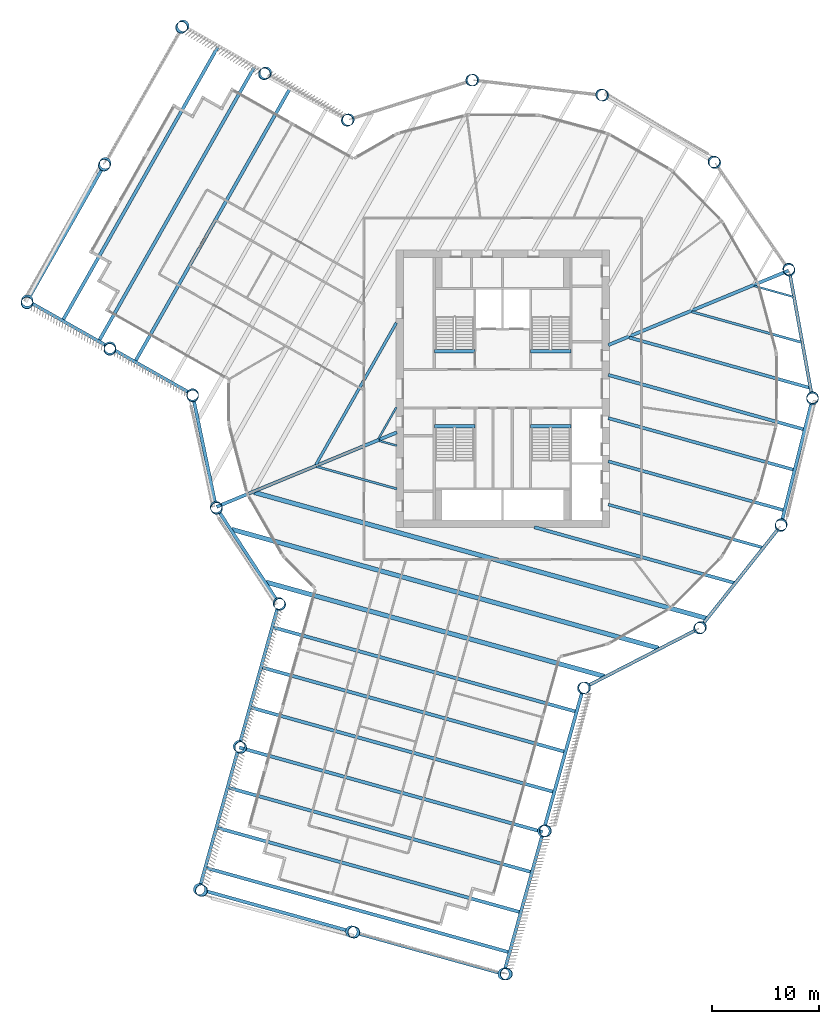
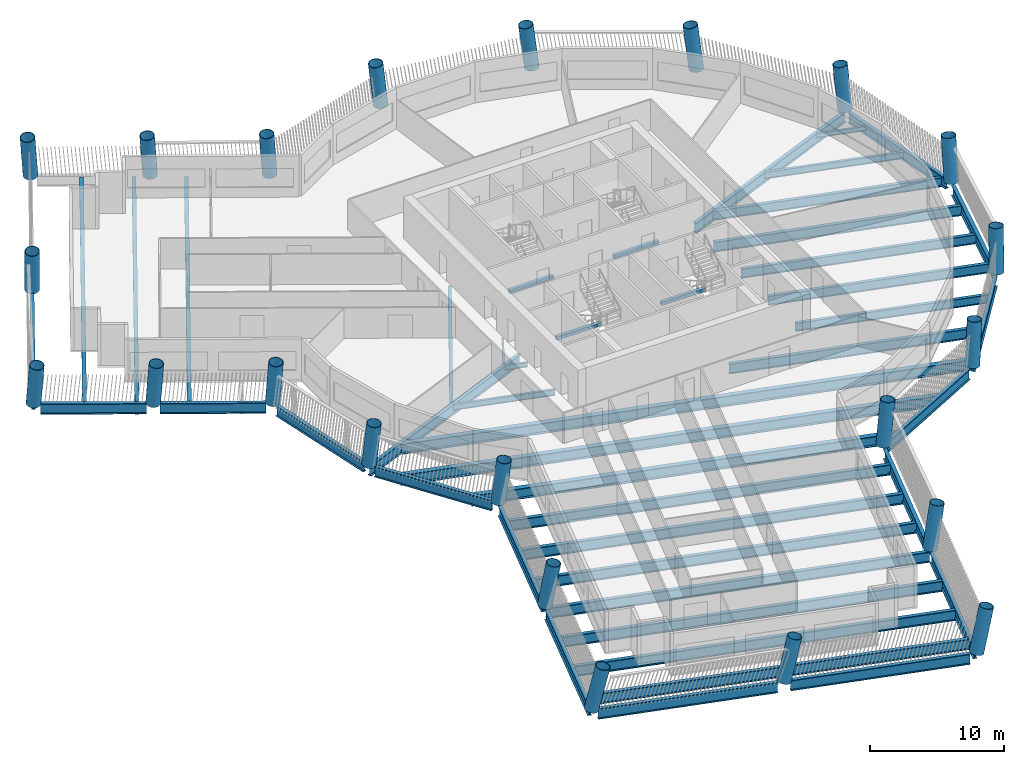
# One storey, part 1 of 15: 46 beams, 22 columns.
"""IFC4 building model written with IfcOpenShell, lengths in metres."""

from ifc_helpers import new_model, si_unit, direction, frame, origin, origin_2d, place, context, subcontext, project, spatial, rectangle, hollow_circle, i_section, extrude, material, material_profile, profile_set, type_object, element, save


model = new_model("IFC4")

# Units and contexts
model_context = context("Model", 3, precision=1e-05, world=origin(), true_north=direction((0.0, 1.0)))
body_context = subcontext(model_context, "Body", "Model", "MODEL_VIEW")
ifc_project = project(units=[si_unit("LENGTHUNIT", "METRE"), si_unit("AREAUNIT", "SQUARE_METRE"), si_unit("VOLUMEUNIT", "CUBIC_METRE"), si_unit("PLANEANGLEUNIT", "RADIAN"), si_unit("MASSUNIT", "GRAM", prefix="KILO")], contexts=[model_context])

# Site, building, storey
site_placement = place(None, origin())
site = spatial("IfcSite", under=ifc_project, at=site_placement, CompositionType="ELEMENT")
building_placement = place(site_placement, origin())
building = spatial("IfcBuilding", under=site, at=building_placement, Name="Tarsis Ring Headquarters", CompositionType="ELEMENT")
storey_placement = place(building_placement, frame((0.0, 0.0, 159.300048828125)))
storey = spatial("IfcBuildingStorey", under=building, at=storey_placement, Name="L36", CompositionType="ELEMENT", Elevation=159.300048828125)

# Columns
ifc_material_1 = material(Name="Structural steel S355", Category="steel")
ifc_material_profile_1 = material_profile(ifc_material_1, hollow_circle(Radius=0.558837890625, WallThickness=0.044921875, at=origin_2d()), Name="CHS 1118x45")
ifc_profile_set_1 = profile_set([ifc_material_profile_1], Name="Structural steel S355")
column_type = type_object("IfcColumnType", Name="XC Exo column CHS 1118x45", PredefinedType="COLUMN", material=ifc_profile_set_1)
for number, where, z_axis, x_axis, name in (
    (1, (-26.848876953125, -11.08837890625, 0.0009765625), (0.045163607452, -0.107061389015, 0.993226110986), (0.921373148284, 0.388679201426, 0.0), "Exo column XC4 F1"),
    (2, (-20.96240234375, -20.109375, 0.0009765625), (0.08105823539, -0.083235547929, 0.993227771479), (0.716414844004, 0.697674545394, 0.0), "Exo column XC4 AK"),
):
    element("IfcColumn", number, at=place(storey_placement, frame(where, z_axis=z_axis, x_axis=x_axis)), inside=storey, type_object=column_type, Name=name, PredefinedType="COLUMN", context=body_context, shape_type="SweptSolid", body=[
        extrude(hollow_circle(Radius=0.558837890625, WallThickness=0.044921875, at=origin_2d()), origin(), (0.0, 0.0, 1.0), 3.924560546875),
    ])
column_1_placement = place(storey_placement, frame((-24.691650390625, -33.502197265625, 0.001220703125), z_axis=(0.133874328092, -0.097054254468, 0.986234321025), x_axis=(0.586949204328, 0.809623759248, 0.0)))
element("IfcColumn", 3, at=column_1_placement, inside=storey, type_object=column_type, Name="Exo column XC4 AI1", PredefinedType="COLUMN", context=body_context, shape_type="SweptSolid", body=[
    extrude(hollow_circle(Radius=0.558837890625, WallThickness=0.044921875, at=origin_2d()), origin(), (0.0, 0.0, 1.0), 3.951904296875),
])
column_2_placement = place(storey_placement, frame((-28.420654296875, -46.89501953125, 0.00146484375), z_axis=(0.185298554222, -0.110298215009, 0.976472605642), x_axis=(0.511488847152, 0.859289915709, 0.0)))
element("IfcColumn", 4, at=column_2_placement, inside=storey, type_object=column_type, Name="Exo column XC4 AT1", PredefinedType="COLUMN", context=body_context, shape_type="SweptSolid", body=[
    extrude(hollow_circle(Radius=0.558837890625, WallThickness=0.044921875, at=origin_2d()), origin(), (0.0, 0.0, 1.0), 3.990966796875),
])
column_3_placement = place(storey_placement, frame((-14.1630859375, -50.864990234375, 0.00146484375), z_axis=(0.200809764, -0.054231504773, 0.978127999074), x_axis=(0.260723514792, 0.965413511835, 0.0)))
element("IfcColumn", 5, at=column_3_placement, inside=storey, type_object=column_type, Name="Exo column XC4 AT2", PredefinedType="COLUMN", context=body_context, shape_type="SweptSolid", body=[
    extrude(hollow_circle(Radius=0.558837890625, WallThickness=0.044921875, at=origin_2d()), origin(), (0.0, 0.0, 1.0), 3.984130859375),
])
column_4_placement = place(storey_placement, frame((0.094482421875, -54.8349609375, 0.00146484375), z_axis=(0.215640812583, 0.002079939753, 0.976470539135), x_axis=(-0.00964494143, 0.999953486471, 0.0)))
element("IfcColumn", 6, at=column_4_placement, inside=storey, type_object=column_type, Name="Exo column XC4 AT3", PredefinedType="COLUMN", context=body_context, shape_type="SweptSolid", body=[
    extrude(hollow_circle(Radius=0.558837890625, WallThickness=0.044921875, at=origin_2d()), origin(), (0.0, 0.0, 1.0), 3.990966796875),
])
column_5_placement = place(storey_placement, frame((3.823486328125, -41.442138671875, 0.001220703125), z_axis=(0.164517040901, 0.016433170439, 0.986237341699), x_axis=(-0.099392731209, 0.99504828274, 0.0)))
element("IfcColumn", 7, at=column_5_placement, inside=storey, type_object=column_type, Name="Exo column XC4 AO1", PredefinedType="COLUMN", context=body_context, shape_type="SweptSolid", body=[
    extrude(hollow_circle(Radius=0.558837890625, WallThickness=0.044921875, at=origin_2d()), origin(), (0.0, 0.0, 1.0), 3.951904296875),
])
for number, where, z_axis, x_axis, name in (
    (8, (7.552734375, -28.049560546875, 0.0009765625), (0.111975651591, 0.031104347664, 0.993224029616), (-0.267643863786, 0.96351790963, 0.0), "Exo column XC4 AJ"),
    (9, (18.44287109375, -22.442626953125, 0.0009765625), (0.089207413233, 0.074463928619, 0.993225634365), (-0.640816073719, 0.767694444205, 0.0), "Exo column XC4 R1"),
    (10, (26.053955078125, -12.845458984375, 0.0009765625), (0.050575660201, 0.104635006713, 0.993223850884), (-0.900341961896, 0.43518312427, 0.0), "Exo column XC4 R2"),
    (11, (29.032470703125, -0.96435546875, 0.0009765625), (0.002923799442, 0.116205475689, 0.993220891251), (-0.99968362232, 0.02515263932, 0.0), "Exo column XC4 R3"),
    (12, (26.848876953125, 11.08837890625, 0.0009765625), (-0.045163607452, 0.107061389015, 0.993226110986), (-0.921373148284, -0.388679201426, 0.0), "Exo column XC4 R4"),
    (13, (19.891357421875, 21.16943359375, 0.0009765625), (-0.085288120965, 0.078942834066, 0.993224025773), (-0.679279931653, -0.733879264221, 0.0), "Exo column XC4 R5"),
    (14, (9.397216796875, 27.486572265625, 0.0009765625), (-0.110234216804, 0.036703266317, 0.993227711901), (-0.315906487051, -0.9487903306, 0.0), "Exo column XC4 R6"),
    (15, (-2.767822265625, 28.916259765625, 0.0009765625), (-0.115583973309, -0.011944091967, 0.993225897659), (0.102789558652, -0.994703124873, 0.0), "Exo column XC4 R7"),
    (16, (-14.44091796875, 25.204833984375, 0.0009765625), (-0.100342793901, -0.058600689309, 0.993225695864), (0.50430368385, -0.863526371604, 0.0), "Exo column XC4 BJ"),
):
    element("IfcColumn", number, at=place(storey_placement, frame(where, z_axis=z_axis, x_axis=x_axis)), inside=storey, type_object=column_type, Name=name, PredefinedType="COLUMN", context=body_context, shape_type="SweptSolid", body=[
        extrude(hollow_circle(Radius=0.558837890625, WallThickness=0.044921875, at=origin_2d()), origin(), (0.0, 0.0, 1.0), 3.924560546875),
    ])
column_6_placement = place(storey_placement, frame((-22.184326171875, 29.596435546875, 0.001220703125), z_axis=(-0.117222973288, -0.089280287795, 0.989084326407), x_axis=(0.605903852124, -0.795537882178, 0.0)))
element("IfcColumn", 17, at=column_6_placement, inside=storey, type_object=column_type, Name="Exo column XC4 BO1", PredefinedType="COLUMN", context=body_context, shape_type="SweptSolid", body=[
    extrude(hollow_circle(Radius=0.558837890625, WallThickness=0.044921875, at=origin_2d()), origin(), (0.0, 0.0, 1.0), 3.9404296875),
])
column_7_placement = place(storey_placement, frame((-29.927978515625, 33.98828125, 0.001220703125), z_axis=(-0.133724174963, -0.119673892986, 0.983766234615), x_axis=(0.666875157448, -0.745169460176, 0.0)))
element("IfcColumn", 18, at=column_7_placement, inside=storey, type_object=column_type, Name="Exo column XC4 BT3", PredefinedType="COLUMN", context=body_context, shape_type="SweptSolid", body=[
    extrude(hollow_circle(Radius=0.558837890625, WallThickness=0.044921875, at=origin_2d()), origin(), (0.0, 0.0, 1.0), 3.961669921875),
])
column_8_placement = place(storey_placement, frame((-37.229248046875, 21.114501953125, 0.001220703125), z_axis=(-0.08265724494, -0.148400311304, 0.985466959093), x_axis=(0.873625358867, -0.486599149552, 0.0)))
element("IfcColumn", 19, at=column_8_placement, inside=storey, type_object=column_type, Name="Exo column XC4 BT2", PredefinedType="COLUMN", context=body_context, shape_type="SweptSolid", body=[
    extrude(hollow_circle(Radius=0.558837890625, WallThickness=0.044921875, at=origin_2d()), origin(), (0.0, 0.0, 1.0), 3.954833984375),
])
column_9_placement = place(storey_placement, frame((-44.530517578125, 8.240966796875, 0.001220703125), z_axis=(-0.031243259142, -0.176737016211, 0.983762108367), x_axis=(0.984731666632, -0.174079133536, 0.0)))
element("IfcColumn", 20, at=column_9_placement, inside=storey, type_object=column_type, Name="Exo column XC4 BT1", PredefinedType="COLUMN", context=body_context, shape_type="SweptSolid", body=[
    extrude(hollow_circle(Radius=0.558837890625, WallThickness=0.044921875, at=origin_2d()), origin(), (0.0, 0.0, 1.0), 3.9619140625),
])
column_10_placement = place(storey_placement, frame((-36.786865234375, 3.84912109375, 0.001220703125), z_axis=(-0.014188220496, -0.146652916658, 0.989086253284), x_axis=(0.995352614299, -0.096297316719, 0.0)))
element("IfcColumn", 21, at=column_10_placement, inside=storey, type_object=column_type, Name="Exo column XC4 BI1", PredefinedType="COLUMN", context=body_context, shape_type="SweptSolid", body=[
    extrude(hollow_circle(Radius=0.558837890625, WallThickness=0.044921875, at=origin_2d()), origin(), (0.0, 0.0, 1.0), 3.9404296875),
])
column_11_placement = place(storey_placement, frame((-29.04345703125, -0.54248046875, 0.0009765625), z_axis=(0.003110423187, -0.116205410258, 0.993220331998), x_axis=(0.999641967062, 0.026757011966, 0.0)))
element("IfcColumn", 22, at=column_11_placement, inside=storey, type_object=column_type, Name="Exo column XC4 BK", PredefinedType="COLUMN", context=body_context, shape_type="SweptSolid", body=[
    extrude(hollow_circle(Radius=0.558837890625, WallThickness=0.044921875, at=origin_2d()), origin(), (0.0, 0.0, 1.0), 3.924560546875),
])

# Beams
ifc_material_profile_2 = material_profile(ifc_material_1, i_section(OverallWidth=0.177734375, OverallDepth=0.406494140625, WebThickness=0.0078125, FlangeThickness=0.0126953125, at=origin_2d()), Name="W16x40")
ifc_profile_set_2 = profile_set([ifc_material_profile_2], Name="Structural steel S355")
beam_type_1 = type_object("IfcBeamType", Name="FB Floor beam W16x40", PredefinedType="JOIST", material=ifc_profile_set_2)
beam_1_placement = place(storey_placement, frame((23.566162109375, 9.63134765625, -0.36328125), z_axis=(0.963361471519, -0.268206404086, 0.0), x_axis=(0.268206404086, 0.963361471519, 0.0)))
element("IfcBeam", 23, at=beam_1_placement, inside=storey, type_object=beam_type_1, Name="Floor beam FB1", PredefinedType="JOIST", context=body_context, shape_type="SweptSolid", body=[
    extrude(i_section(OverallWidth=0.177734375, OverallDepth=0.406494140625, WebThickness=0.0078125, FlangeThickness=0.0126953125, at=origin_2d()), origin(), (0.0, 0.0, 1.0), 3.804931640625),
])
beam_2_placement = place(storey_placement, frame((-11.56396484375, -4.876708984375, -0.36328125), z_axis=(0.963341148598, -0.268279390596, 0.0), x_axis=(0.268279390596, 0.963341148598, 0.0)))
element("IfcBeam", 24, at=beam_2_placement, inside=storey, type_object=beam_type_1, Name="Floor beam FB1", PredefinedType="JOIST", context=body_context, shape_type="SweptSolid", body=[
    extrude(i_section(OverallWidth=0.177734375, OverallDepth=0.406494140625, WebThickness=0.0078125, FlangeThickness=0.0126953125, at=origin_2d()), origin(), (0.0, 0.0, 1.0), 1.7236328125),
])
beam_3_placement = place(storey_placement, frame((-9.95068359375, -1.734130859375, -0.36328125), z_axis=(-0.49336432911, -0.869822762844, 0.0), x_axis=(0.869822762844, -0.49336432911, 0.0)))
element("IfcBeam", 25, at=beam_3_placement, inside=storey, type_object=beam_type_1, Name="Floor beam FB1", PredefinedType="JOIST", context=body_context, shape_type="SweptSolid", body=[
    extrude(i_section(OverallWidth=0.177734375, OverallDepth=0.406494140625, WebThickness=0.0078125, FlangeThickness=0.0126953125, at=origin_2d()), origin(), (0.0, 0.0, 1.0), 3.41455078125),
])
ifc_material_profile_3 = material_profile(ifc_material_1, i_section(OverallWidth=0.209228515625, OverallDepth=0.533447265625, WebThickness=0.01025390625, FlangeThickness=0.015625, at=origin_2d()), Name="W21x62")
ifc_profile_set_3 = profile_set([ifc_material_profile_3], Name="Structural steel S355")
beam_type_2 = type_object("IfcBeamType", Name="FB Floor beam W21x62", PredefinedType="JOIST", material=ifc_profile_set_3)
beam_4_placement = place(storey_placement, frame((-17.4189453125, -7.294677734375, -0.4267578125), z_axis=(0.963346892365, -0.268258764947, 0.0), x_axis=(0.268258764947, 0.963346892365, 0.0)))
element("IfcBeam", 26, at=beam_4_placement, inside=storey, type_object=beam_type_2, Name="Floor beam FB3", PredefinedType="JOIST", context=body_context, shape_type="SweptSolid", body=[
    extrude(i_section(OverallWidth=0.209228515625, OverallDepth=0.533447265625, WebThickness=0.01025390625, FlangeThickness=0.015625, at=origin_2d()), origin(), (0.0, 0.0, 1.0), 7.80126953125),
])
ifc_material_profile_4 = material_profile(ifc_material_1, i_section(OverallWidth=0.228271484375, OverallDepth=0.607177734375, WebThickness=0.01123046875, FlangeThickness=0.017333984375, at=origin_2d()), Name="W24x76")
ifc_profile_set_4 = profile_set([ifc_material_profile_4], Name="Structural steel S355")
beam_type_3 = type_object("IfcBeamType", Name="FB Floor beam W24x76", PredefinedType="JOIST", material=ifc_profile_set_4)
beam_5_placement = place(storey_placement, frame((17.711181640625, 7.21337890625, -0.463623046875), z_axis=(0.963347487024, -0.268256629451, 0.0), x_axis=(0.268256629451, 0.963347487024, 0.0)))
element("IfcBeam", 27, at=beam_5_placement, inside=storey, type_object=beam_type_3, Name="Floor beam FB4", PredefinedType="JOIST", context=body_context, shape_type="SweptSolid", body=[
    extrude(i_section(OverallWidth=0.228271484375, OverallDepth=0.607177734375, WebThickness=0.01123046875, FlangeThickness=0.017333984375, at=origin_2d()), origin(), (0.0, 0.0, 1.0), 10.6845703125),
])
ifc_material_profile_5 = material_profile(ifc_material_1, i_section(OverallWidth=0.2666015625, OverallDepth=0.7568359375, WebThickness=0.013916015625, FlangeThickness=0.019287109375, at=origin_2d()), Name="W30x108")
ifc_profile_set_5 = profile_set([ifc_material_profile_5], Name="Structural steel S355")
beam_type_4 = type_object("IfcBeamType", Name="FB Floor beam W30x108", PredefinedType="JOIST", material=ifc_profile_set_5)
beam_6_placement = place(storey_placement, frame((9.903564453125, -10.8544921875, -0.53857421875), z_axis=(0.963352474898, -0.268238716645, 0.0), x_axis=(0.268238716645, 0.963352474898, 0.0)))
element("IfcBeam", 28, at=beam_6_placement, inside=storey, type_object=beam_type_4, Name="Floor beam FB6", PredefinedType="JOIST", context=body_context, shape_type="SweptSolid", body=[
    extrude(i_section(OverallWidth=0.2666015625, OverallDepth=0.7568359375, WebThickness=0.013916015625, FlangeThickness=0.019287109375, at=origin_2d()), origin(), (0.0, 0.0, 1.0), 15.0068359375),
])
beam_7_placement = place(storey_placement, frame((-9.95068359375, 6.17138671875, -0.53857421875), z_axis=(-0.493339023198, -0.869837115896, 0.0), x_axis=(0.869837115896, -0.493339023198, 0.0)))
element("IfcBeam", 29, at=beam_7_placement, inside=storey, type_object=beam_type_4, Name="Floor beam FB6", PredefinedType="JOIST", context=body_context, shape_type="SweptSolid", body=[
    extrude(i_section(OverallWidth=0.2666015625, OverallDepth=0.7568359375, WebThickness=0.013916015625, FlangeThickness=0.019287109375, at=origin_2d()), origin(), (0.0, 0.0, 1.0), 15.28271484375),
])
ifc_material_profile_6 = material_profile(ifc_material_1, i_section(OverallWidth=0.2919921875, OverallDepth=0.835693359375, WebThickness=0.013916015625, FlangeThickness=0.018798828125, at=origin_2d()), Name="W33x118")
ifc_profile_set_6 = profile_set([ifc_material_profile_6], Name="Structural steel S355")
beam_type_5 = type_object("IfcBeamType", Name="FB Floor beam W33x118", PredefinedType="JOIST", material=ifc_profile_set_6)
beam_8_placement = place(storey_placement, frame((11.856201171875, 4.79541015625, -0.577880859375), z_axis=(0.963348049349, -0.268254610054, 0.0), x_axis=(0.268254610054, 0.963348049349, 0.0)))
element("IfcBeam", 30, at=beam_8_placement, inside=storey, type_object=beam_type_5, Name="Floor beam FB7", PredefinedType="JOIST", context=body_context, shape_type="SweptSolid", body=[
    extrude(i_section(OverallWidth=0.2919921875, OverallDepth=0.835693359375, WebThickness=0.013916015625, FlangeThickness=0.018798828125, at=origin_2d()), origin(), (0.0, 0.0, 1.0), 17.564208984375),
])
beam_9_placement = place(storey_placement, frame((9.903564453125, -2.7578125, -0.577880859375), z_axis=(0.963353388376, -0.268235435961, 0.0), x_axis=(0.268235435961, 0.963353388376, 0.0)))
element("IfcBeam", 31, at=beam_9_placement, inside=storey, type_object=beam_type_5, Name="Floor beam FB7", PredefinedType="JOIST", context=body_context, shape_type="SweptSolid", body=[
    extrude(i_section(OverallWidth=0.2919921875, OverallDepth=0.835693359375, WebThickness=0.013916015625, FlangeThickness=0.018798828125, at=origin_2d()), origin(), (0.0, 0.0, 1.0), 18.069580078125),
])
beam_10_placement = place(storey_placement, frame((9.903564453125, -6.80615234375, -0.577880859375), z_axis=(0.963349639983, -0.268248897749, 0.0), x_axis=(0.268248897749, 0.963349639983, 0.0)))
element("IfcBeam", 32, at=beam_10_placement, inside=storey, type_object=beam_type_5, Name="Floor beam FB7", PredefinedType="JOIST", context=body_context, shape_type="SweptSolid", body=[
    extrude(i_section(OverallWidth=0.2919921875, OverallDepth=0.835693359375, WebThickness=0.013916015625, FlangeThickness=0.018798828125, at=origin_2d()), origin(), (0.0, 0.0, 1.0), 17.0849609375),
])
ifc_material_profile_7 = material_profile(ifc_material_1, i_section(OverallWidth=0.3046875, OverallDepth=0.904296875, WebThickness=0.01513671875, FlangeThickness=0.02001953125, at=origin_2d()), Name="W36x135")
ifc_profile_set_7 = profile_set([ifc_material_profile_7], Name="Structural steel S355")
beam_type_6 = type_object("IfcBeamType", Name="FB Floor beam W36x135", PredefinedType="JOIST", material=ifc_profile_set_7)
beam_11_placement = place(storey_placement, frame((9.903564453125, 1.290771484375, -0.612060546875), z_axis=(0.963350127391, -0.26824714734, 0.0), x_axis=(0.26824714734, 0.963350127391, 0.0)))
element("IfcBeam", 33, at=beam_11_placement, inside=storey, type_object=beam_type_6, Name="Floor beam FB8", PredefinedType="JOIST", context=body_context, shape_type="SweptSolid", body=[
    extrude(i_section(OverallWidth=0.3046875, OverallDepth=0.904296875, WebThickness=0.01513671875, FlangeThickness=0.02001953125, at=origin_2d()), origin(), (0.0, 0.0, 1.0), 19.054443359375),
])
beam_12_placement = place(storey_placement, frame((2.973876953125, -12.97314453125, -0.612060546875), z_axis=(0.963349031902, -0.268251081514, 0.0), x_axis=(0.268251081514, 0.963349031902, 0.0)))
element("IfcBeam", 34, at=beam_12_placement, inside=storey, type_object=beam_type_6, Name="Floor beam FB8", PredefinedType="JOIST", context=body_context, shape_type="SweptSolid", body=[
    extrude(i_section(OverallWidth=0.3046875, OverallDepth=0.904296875, WebThickness=0.01513671875, FlangeThickness=0.02001953125, at=origin_2d()), origin(), (0.0, 0.0, 1.0), 19.47021484375),
])
ifc_material_profile_8 = material_profile(ifc_material_1, i_section(OverallWidth=0.309814453125, OverallDepth=0.949951171875, WebThickness=0.0244140625, FlangeThickness=0.0439453125, at=origin_2d()), Name="W36x256")
ifc_profile_set_8 = profile_set([ifc_material_profile_8], Name="Structural steel S355")
beam_type_7 = type_object("IfcBeamType", Name="FB Floor beam W36x256", PredefinedType="JOIST", material=ifc_profile_set_8)
for number, where, z_axis, x_axis, name in (
    (35, (-21.52783203125, -22.34423828125, -0.635009765625), (0.963350368279, -0.268246282241, 0.0), (0.268246282241, 0.963350368279, 0.0), "Floor beam FB11"),
    (36, (-22.573974609375, -26.101318359375, -0.635009765625), (0.963350368279, -0.268246282241, 0.0), (0.268246282241, 0.963350368279, 0.0), "Floor beam FB11"),
):
    element("IfcBeam", number, at=place(storey_placement, frame(where, z_axis=z_axis, x_axis=x_axis)), inside=storey, type_object=beam_type_7, Name=name, PredefinedType="JOIST", context=body_context, shape_type="SweptSolid", body=[
        extrude(i_section(OverallWidth=0.309814453125, OverallDepth=0.949951171875, WebThickness=0.0244140625, FlangeThickness=0.0439453125, at=origin_2d()), origin(), (0.0, 0.0, 1.0), 29.490234375),
    ])
for number, where, z_axis, x_axis, name in (
    (37, (-23.6201171875, -29.858154296875, -0.635009765625), (0.96334977257, -0.268248421598, 0.0), (0.268248421598, 0.96334977257, 0.0), "Floor beam FB11"),
    (38, (-24.666259765625, -33.615234375, -0.635009765625), (0.96334977257, -0.268248421598, 0.0), (0.268248421598, 0.96334977257, 0.0), "Floor beam FB11"),
    (39, (-25.71240234375, -37.372314453125, -0.635009765625), (0.96334977257, -0.268248421598, 0.0), (0.268248421598, 0.96334977257, 0.0), "Floor beam FB11"),
    (40, (-26.758544921875, -41.12939453125, -0.635009765625), (0.96334977257, -0.268248421598, 0.0), (0.268248421598, 0.96334977257, 0.0), "Floor beam FB11"),
    (41, (-27.8046875, -44.886474609375, -0.635009765625), (0.96334977257, -0.268248421598, 0.0), (0.268248421598, 0.96334977257, 0.0), "Floor beam FB11"),
    (42, (-19.86474609375, 28.2177734375, -0.635009765625), (-0.493337768361, -0.869837827591, 0.0), (0.869837827591, -0.493337768361, 0.0), "Floor beam FB11"),
    (43, (-23.257080078125, 30.141845703125, -0.635009765625), (-0.493337768361, -0.869837827591, 0.0), (0.869837827591, -0.493337768361, 0.0), "Floor beam FB11"),
    (44, (-26.6494140625, 32.06591796875, -0.635009765625), (-0.493337768361, -0.869837827591, 0.0), (0.869837827591, -0.493337768361, 0.0), "Floor beam FB11"),
):
    element("IfcBeam", number, at=place(storey_placement, frame(where, z_axis=z_axis, x_axis=x_axis)), inside=storey, type_object=beam_type_7, Name=name, PredefinedType="JOIST", context=body_context, shape_type="SweptSolid", body=[
        extrude(i_section(OverallWidth=0.309814453125, OverallDepth=0.949951171875, WebThickness=0.0244140625, FlangeThickness=0.0439453125, at=origin_2d()), origin(), (0.0, 0.0, 1.0), 29.489990234375),
    ])
beam_type_8 = type_object("IfcBeamType", Name="FB Floor beam W36x256 spine", PredefinedType="BEAM", material=ifc_profile_set_8)
beam_13_placement = place(storey_placement, frame((-9.907470703125, -4.091796875, -0.635009765625), z_axis=(-0.924284383045, -0.381704570655, 0.0), x_axis=(0.381704570655, -0.924284383045, 0.0)))
element("IfcBeam", 45, at=beam_13_placement, inside=storey, type_object=beam_type_8, Name="Floor beam SB11", PredefinedType="BEAM", context=body_context, shape_type="SweptSolid", body=[
    extrude(i_section(OverallWidth=0.309814453125, OverallDepth=0.949951171875, WebThickness=0.0244140625, FlangeThickness=0.0439453125, at=origin_2d()), origin(), (0.0, 0.0, 1.0), 18.271728515625),
])
beam_14_placement = place(storey_placement, frame((26.794921875, 11.06591796875, -0.635009765625), z_axis=(-0.924283256713, -0.381707298019, 0.0), x_axis=(0.381707298019, -0.924283256713, 0.0)))
element("IfcBeam", 46, at=beam_14_placement, inside=storey, type_object=beam_type_8, Name="Floor beam SB11", PredefinedType="BEAM", context=body_context, shape_type="SweptSolid", body=[
    extrude(i_section(OverallWidth=0.309814453125, OverallDepth=0.949951171875, WebThickness=0.0244140625, FlangeThickness=0.0439453125, at=origin_2d()), origin(), (0.0, 0.0, 1.0), 18.270751953125),
])
ifc_material_profile_9 = material_profile(ifc_material_1, i_section(OverallWidth=0.42431640625, OverallDepth=0.947509765625, WebThickness=0.02392578125, FlangeThickness=0.042724609375, at=origin_2d()), Name="W36x302")
ifc_profile_set_9 = profile_set([ifc_material_profile_9], Name="Structural steel S355")
beam_type_9 = type_object("IfcBeamType", Name="FB Floor beam W36x302", PredefinedType="JOIST", material=ifc_profile_set_9)
beam_15_placement = place(storey_placement, frame((-23.27392578125, -9.712890625, -0.6337890625), z_axis=(0.963350337268, -0.268246393613, 0.0), x_axis=(0.268246393613, 0.963350337268, 0.0)))
element("IfcBeam", 47, at=beam_15_placement, inside=storey, type_object=beam_type_9, Name="Floor beam FB12", PredefinedType="JOIST", context=body_context, shape_type="SweptSolid", body=[
    extrude(i_section(OverallWidth=0.42431640625, OverallDepth=0.947509765625, WebThickness=0.02392578125, FlangeThickness=0.042724609375, at=origin_2d()), origin(), (0.0, 0.0, 1.0), 43.98681640625),
])
beam_16_placement = place(storey_placement, frame((-25.381591796875, -13.17431640625, -0.6337890625), z_axis=(0.963349926121, -0.268247870156, 0.0), x_axis=(0.268247870156, 0.963349926121, 0.0)))
element("IfcBeam", 48, at=beam_16_placement, inside=storey, type_object=beam_type_9, Name="Floor beam FB12", PredefinedType="JOIST", context=body_context, shape_type="SweptSolid", body=[
    extrude(i_section(OverallWidth=0.42431640625, OverallDepth=0.947509765625, WebThickness=0.02392578125, FlangeThickness=0.042724609375, at=origin_2d()), origin(), (0.0, 0.0, 1.0), 41.523681640625),
])
beam_17_placement = place(storey_placement, frame((-22.153564453125, -18.12158203125, -0.6337890625), z_axis=(0.963351431668, -0.268242463274, 0.0), x_axis=(0.268242463274, 0.963351431668, 0.0)))
element("IfcBeam", 49, at=beam_17_placement, inside=storey, type_object=beam_type_9, Name="Floor beam FB12", PredefinedType="JOIST", context=body_context, shape_type="SweptSolid", body=[
    extrude(i_section(OverallWidth=0.42431640625, OverallDepth=0.947509765625, WebThickness=0.02392578125, FlangeThickness=0.042724609375, at=origin_2d()), origin(), (0.0, 0.0, 1.0), 32.87548828125),
])
ifc_material_2 = material(Name="Concrete C40/50", Category="concrete")
ifc_material_profile_10 = material_profile(ifc_material_2, rectangle(XDim=0.300048828125, YDim=0.300048828125, at=origin_2d()), Name="Stair head beam 300x300 C40/50")
ifc_profile_set_10 = profile_set([ifc_material_profile_10], Name="Concrete C40/50")
beam_type_10 = type_object("IfcBeamType", Name="Stair head beam 300x300 C40/50", PredefinedType="BEAM", material=ifc_profile_set_10)
for number, where, z_axis, x_axis, name in (
    (50, (-6.39990234375, 3.510009765625, -0.31005859375), (1.0, 0.0, 0.0), (0.0, 1.0, 0.0), "Stair head beam L36 Firefighting stair"),
    (51, (2.60009765625, 3.510009765625, -0.31005859375), (1.0, 0.0, 0.0), (0.0, 1.0, 0.0), "Stair head beam L36 Exit stair B"),
    (52, (-6.39990234375, -3.510009765625, -0.31005859375), (1.0, 0.0, 0.0), (0.0, 1.0, 0.0), "Stair head beam L36 Exit stair C"),
    (53, (2.60009765625, -3.510009765625, -0.31005859375), (1.0, 0.0, 0.0), (0.0, 1.0, 0.0), "Stair head beam L36 Exit stair D"),
):
    element("IfcBeam", number, at=place(storey_placement, frame(where, z_axis=z_axis, x_axis=x_axis)), inside=storey, type_object=beam_type_10, Name=name, PredefinedType="BEAM", context=body_context, shape_type="SweptSolid", body=[
        extrude(rectangle(XDim=0.300048828125, YDim=0.300048828125, at=origin_2d()), origin(), (0.0, 0.0, 1.0), 3.7998046875),
    ])
beam_type_11 = type_object("IfcBeamType", Name="XG Ring girder W36x256", PredefinedType="BEAM", material=ifc_profile_set_8)
beam_18_placement = place(storey_placement, frame((-26.57421875, -11.509521484375, -0.47509765625), z_axis=(0.546481283337, -0.837471317099, 0.0), x_axis=(0.837471317099, 0.546481283337, 0.0)))
element("IfcBeam", 54, at=beam_18_placement, inside=storey, type_object=beam_type_11, Name="Ring girder XG2", PredefinedType="BEAM", context=body_context, shape_type="SweptSolid", body=[
    extrude(i_section(OverallWidth=0.309814453125, OverallDepth=0.949951171875, WebThickness=0.0244140625, FlangeThickness=0.0439453125, at=origin_2d()), origin(), (0.0, 0.0, 1.0), 9.765869140625),
])
for number, where, z_axis, x_axis, name in (
    (55, (-21.097412109375, -20.59375, -0.47509765625), (-0.268249162001, -0.963349566401, 0.0), (0.963349566401, -0.268249162001, 0.0), "Ring girder XG2"),
    (56, (-24.82666015625, -33.986572265625, -0.47509765625), (-0.268249162001, -0.963349566401, 0.0), (0.963349566401, -0.268249162001, 0.0), "Ring girder XG2"),
):
    element("IfcBeam", number, at=place(storey_placement, frame(where, z_axis=z_axis, x_axis=x_axis)), inside=storey, type_object=beam_type_11, Name=name, PredefinedType="BEAM", context=body_context, shape_type="SweptSolid", body=[
        extrude(i_section(OverallWidth=0.309814453125, OverallDepth=0.949951171875, WebThickness=0.0244140625, FlangeThickness=0.0439453125, at=origin_2d()), origin(), (0.0, 0.0, 1.0), 12.896484375),
    ])
for number, where, z_axis, x_axis, name in (
    (57, (-27.9365234375, -47.02978515625, -0.47509765625), (0.963350876091, -0.268244458535, 0.0), (0.268244458535, 0.963350876091, 0.0), "Ring girder XG2"),
    (58, (-13.678955078125, -50.999755859375, -0.47509765625), (0.963350876091, -0.268244458535, 0.0), (0.268244458535, 0.963350876091, 0.0), "Ring girder XG2"),
):
    element("IfcBeam", number, at=place(storey_placement, frame(where, z_axis=z_axis, x_axis=x_axis)), inside=storey, type_object=beam_type_11, Name=name, PredefinedType="BEAM", context=body_context, shape_type="SweptSolid", body=[
        extrude(i_section(OverallWidth=0.309814453125, OverallDepth=0.949951171875, WebThickness=0.0244140625, FlangeThickness=0.0439453125, at=origin_2d()), origin(), (0.0, 0.0, 1.0), 13.794189453125),
    ])
beam_19_placement = place(storey_placement, frame((0.22900390625, -54.350341796875, -0.47509765625), z_axis=(0.268254054136, 0.96334820415, 0.0), x_axis=(-0.96334820415, 0.268254054136, 0.0)))
element("IfcBeam", 59, at=beam_19_placement, inside=storey, type_object=beam_type_11, Name="Ring girder XG2", PredefinedType="BEAM", context=body_context, shape_type="SweptSolid", body=[
    extrude(i_section(OverallWidth=0.309814453125, OverallDepth=0.949951171875, WebThickness=0.0244140625, FlangeThickness=0.0439453125, at=origin_2d()), origin(), (0.0, 0.0, 1.0), 12.896240234375),
])
beam_20_placement = place(storey_placement, frame((3.958251953125, -40.957763671875, -0.47509765625), z_axis=(0.268249162001, 0.963349566401, 0.0), x_axis=(-0.963349566401, 0.268249162001, 0.0)))
element("IfcBeam", 60, at=beam_20_placement, inside=storey, type_object=beam_type_11, Name="Ring girder XG2", PredefinedType="BEAM", context=body_context, shape_type="SweptSolid", body=[
    extrude(i_section(OverallWidth=0.309814453125, OverallDepth=0.949951171875, WebThickness=0.0244140625, FlangeThickness=0.0439453125, at=origin_2d()), origin(), (0.0, 0.0, 1.0), 12.896484375),
])
beam_21_placement = place(storey_placement, frame((7.999755859375, -27.8193359375, -0.47509765625), z_axis=(0.889083829132, 0.457744409879, 0.0), x_axis=(-0.457744409879, 0.889083829132, 0.0)))
element("IfcBeam", 61, at=beam_21_placement, inside=storey, type_object=beam_type_11, Name="Ring girder XG2", PredefinedType="BEAM", context=body_context, shape_type="SweptSolid", body=[
    extrude(i_section(OverallWidth=0.309814453125, OverallDepth=0.949951171875, WebThickness=0.0244140625, FlangeThickness=0.0439453125, at=origin_2d()), origin(), (0.0, 0.0, 1.0), 11.2431640625),
])
for number, where, z_axis, x_axis, name in (
    (62, (18.75537109375, -22.048583984375, -0.47509765625), (0.621371268165, 0.783516271113, 0.0), (-0.783516271113, 0.621371268165, 0.0), "Ring girder XG2"),
    (63, (26.17626953125, -12.357666015625, -0.47509765625), (0.2431640304, 0.969985182526, 0.0), (-0.969985182526, 0.2431640304, 0.0), "Ring girder XG2"),
):
    element("IfcBeam", number, at=place(storey_placement, frame(where, z_axis=z_axis, x_axis=x_axis)), inside=storey, type_object=beam_type_11, Name=name, PredefinedType="BEAM", context=body_context, shape_type="SweptSolid", body=[
        extrude(i_section(OverallWidth=0.309814453125, OverallDepth=0.949951171875, WebThickness=0.0244140625, FlangeThickness=0.0439453125, at=origin_2d()), origin(), (0.0, 0.0, 1.0), 11.242919921875),
    ])
beam_22_placement = place(storey_placement, frame((28.94287109375, -0.469482421875, -0.47509765625), z_axis=(-0.178256715065, 0.983984015894, 0.0), x_axis=(-0.983984015894, -0.178256715065, 0.0)))
element("IfcBeam", 64, at=beam_22_placement, inside=storey, type_object=beam_type_11, Name="Ring girder XG2", PredefinedType="BEAM", context=body_context, shape_type="SweptSolid", body=[
    extrude(i_section(OverallWidth=0.309814453125, OverallDepth=0.949951171875, WebThickness=0.0244140625, FlangeThickness=0.0439453125, at=origin_2d()), origin(), (0.0, 0.0, 1.0), 11.2431640625),
])
beam_23_placement = place(storey_placement, frame((-37.477294921875, 20.67724609375, -0.47509765625), z_axis=(-0.493334509301, -0.869839675993, 0.0), x_axis=(0.869839675993, -0.493334509301, 0.0)))
element("IfcBeam", 65, at=beam_23_placement, inside=storey, type_object=beam_type_11, Name="Ring girder XG2", PredefinedType="BEAM", context=body_context, shape_type="SweptSolid", body=[
    extrude(i_section(OverallWidth=0.309814453125, OverallDepth=0.949951171875, WebThickness=0.0244140625, FlangeThickness=0.0439453125, at=origin_2d()), origin(), (0.0, 0.0, 1.0), 13.794189453125),
])
for number, where, z_axis, x_axis, name in (
    (66, (-44.093017578125, 7.992919921875, -0.47509765625), (0.869844422868, -0.493326139592, 0.0), (0.493326139592, 0.869844422868, 0.0), "Ring girder XG2"),
    (67, (-36.349609375, 3.601318359375, -0.47509765625), (0.869831155356, -0.493349532453, 0.0), (0.493349532453, 0.869831155356, 0.0), "Ring girder XG2"),
):
    element("IfcBeam", number, at=place(storey_placement, frame(where, z_axis=z_axis, x_axis=x_axis)), inside=storey, type_object=beam_type_11, Name=name, PredefinedType="BEAM", context=body_context, shape_type="SweptSolid", body=[
        extrude(i_section(OverallWidth=0.309814453125, OverallDepth=0.949951171875, WebThickness=0.0244140625, FlangeThickness=0.0439453125, at=origin_2d()), origin(), (0.0, 0.0, 1.0), 7.896484375),
    ])
beam_24_placement = place(storey_placement, frame((-28.94091796875, -1.034912109375, -0.47509765625), z_axis=(0.203720642653, -0.97902905971, 0.0), x_axis=(0.97902905971, 0.203720642653, 0.0)))
element("IfcBeam", 68, at=beam_24_placement, inside=storey, type_object=beam_type_11, Name="Ring girder XG2", PredefinedType="BEAM", context=body_context, shape_type="SweptSolid", body=[
    extrude(i_section(OverallWidth=0.309814453125, OverallDepth=0.949951171875, WebThickness=0.0244140625, FlangeThickness=0.0439453125, at=origin_2d()), origin(), (0.0, 0.0, 1.0), 9.765869140625),
])

save(model, "model.ifc")
